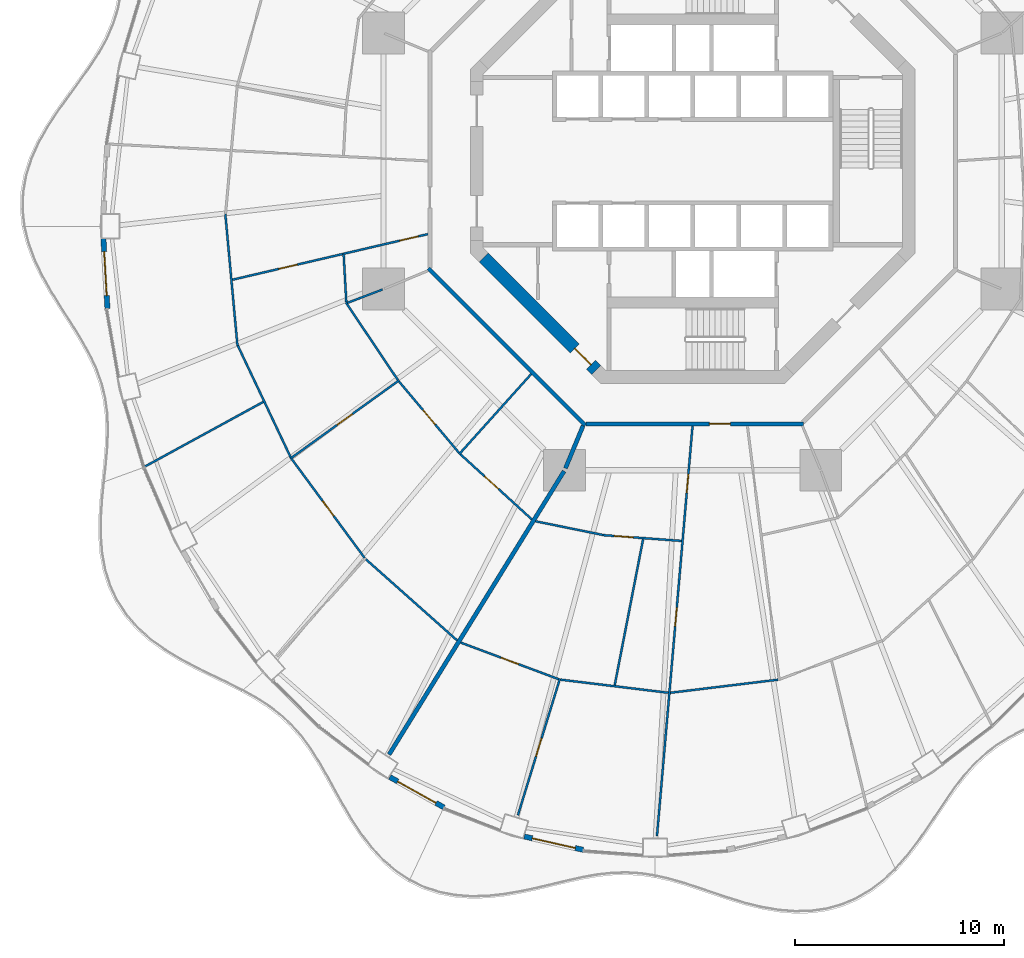
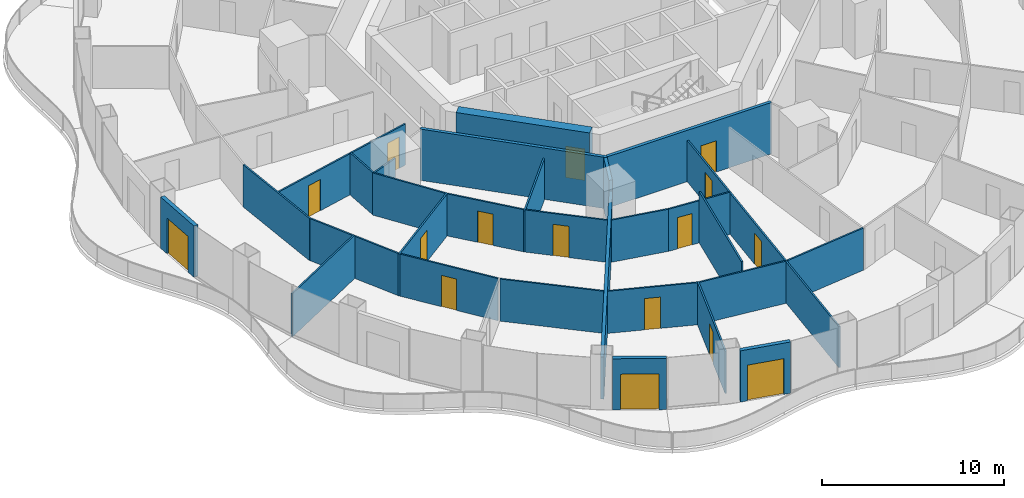
# One storey, part 11 of 19: 29 walls, 16 doors, 16 openings.
"""IFC4 building model written with IfcOpenShell, lengths in metres."""

from ifc_helpers import new_model, si_unit, direction, frame, frame_2d, origin, place, context, subcontext, project, spatial, rectangle, extrude, material, layer, layer_set, type_object, element, fill, save


model = new_model("IFC4")

# Units and contexts
model_context = context("Model", 3, precision=1e-05, world=origin(), true_north=direction((0.0, 1.0)))
body_context = subcontext(model_context, "Body", "Model", "MODEL_VIEW")
ifc_project = project(units=[si_unit("LENGTHUNIT", "METRE"), si_unit("AREAUNIT", "SQUARE_METRE"), si_unit("VOLUMEUNIT", "CUBIC_METRE"), si_unit("PLANEANGLEUNIT", "RADIAN"), si_unit("MASSUNIT", "GRAM", prefix="KILO")], contexts=[model_context])

# Site, building, storey
site_placement = place(None, origin())
site = spatial("IfcSite", under=ifc_project, at=site_placement, CompositionType="ELEMENT")
building_placement = place(site_placement, origin())
building = spatial("IfcBuilding", under=site, at=building_placement, Name="Nagisa Residences", CompositionType="ELEMENT")
storey_placement = place(building_placement, frame((0.0, 0.0, 149.199951171875)))
storey = spatial("IfcBuildingStorey", under=building, at=storey_placement, Name="L37", CompositionType="ELEMENT", Elevation=149.199951171875)

# Walls
ifc_material_1 = material(Name="Gypsum board on steel studs", Category="steel")
ifc_layer_1 = layer(ifc_material_1, 0.199951171875)
ifc_layer_set_1 = layer_set([ifc_layer_1], Name="Apartment compartment wall EI60 200")
wall_type_1 = type_object("IfcWallType", Name="Apartment compartment wall EI60 200", PredefinedType="PARTITIONING", material=ifc_layer_set_1)
wall_1_placement = place(storey_placement, frame((-5.24267578125, -12.6572265625, 0.0), z_axis=(0.0, 0.0, 1.0), x_axis=(-0.382818775282, -0.923823460025, 0.0)))
element("IfcWall", 1, at=wall_1_placement, inside=storey, type_object=wall_type_1, Name="wall:L37:u02", PredefinedType="PARTITIONING", context=body_context, shape_type="SweptSolid", body=[
    extrude(rectangle(XDim=2.200927734375, YDim=0.199951171875, at=frame_2d((1.1005859375, 0.0))), origin(), (0.0, 0.0, 1.0), 3.43994140625),
])
wall_2_placement = place(storey_placement, frame((-6.149169921875, -14.82470703125, 0.0), z_axis=(0.0, 0.0, 1.0), x_axis=(-0.525406383516, -0.85085141603, 0.0)))
element("IfcWall", 2, at=wall_2_placement, inside=storey, type_object=wall_type_1, Name="wall:L37:u03", PredefinedType="PARTITIONING", context=body_context, shape_type="SweptSolid", body=[
    extrude(rectangle(XDim=15.9248046875, YDim=0.199951171875, at=frame_2d((7.96240234375, 0.0))), origin(), (0.0, 0.0, 1.0), 2.828125),
])
ifc_material_2 = material(Name="Gypsum board on steel studs", Category="steel")
ifc_layer_2 = layer(ifc_material_2, 0.199951171875)
ifc_layer_set_2 = layer_set([ifc_layer_2], Name="Apartment entry wall EI60 200")
wall_type_2 = type_object("IfcWallType", Name="Apartment entry wall EI60 200", PredefinedType="PARTITIONING", material=ifc_layer_set_2)
wall_3_placement = place(storey_placement, frame((-12.635498046875, -5.1337890625, 0.0), z_axis=(0.0, 0.0, 1.0), x_axis=(0.707106781187, -0.707106781187, 0.0)))
element("IfcWall", 3, at=wall_3_placement, inside=storey, type_object=wall_type_2, Name="wall:L37:u09", PredefinedType="PARTITIONING", context=body_context, shape_type="SweptSolid", body=[
    extrude(rectangle(XDim=10.609130859375, YDim=0.199951171875, at=frame_2d((5.3046875, 0.0))), origin(), (0.0, 0.0, 1.0), 3.43994140625),
])

# Wall, opening, door
wall_4_placement = place(storey_placement, frame((-5.1044921875, -12.564697265625, 0.0), z_axis=(0.0, 0.0, 1.0), x_axis=(1.0, 0.0, 0.0)))
wall_4 = element("IfcWall", 4, at=wall_4_placement, inside=storey, type_object=wall_type_2, Name="wall:L37:u10", PredefinedType="PARTITIONING", context=body_context, shape_type="SweptSolid", body=[
    extrude(rectangle(XDim=10.408935546875, YDim=0.199951171875, at=frame_2d((5.20458984375, 0.0))), origin(), (0.0, 0.0, 1.0), 3.43994140625),
])
opening_1_placement = place(wall_4_placement, frame((5.905517578125, 0.0, 0.0)))
opening_1 = element("IfcOpeningElement", 5, at=opening_1_placement, cuts=wall_4, Name="Opening L37-U01", PredefinedType="OPENING", context=body_context, shape_type="SweptSolid", body=[
    extrude(rectangle(XDim=1.0, YDim=2.10009765625, at=frame_2d((0.5, 1.050048828125))), frame((0.0, 0.10986328125, 0.0), z_axis=(0.0, -1.0, 0.0), x_axis=(1.0, 0.0, 0.0)), (0.0, 0.0, 1.0), 0.219970703125),
])
ifc_material_3 = material(Name="Timber fire door set", Category="wood")
door_type_1 = type_object("IfcDoorType", Name="Apartment entry door FD30S 1000x2100", OperationType="NOTDEFINED", PredefinedType="DOOR", material=ifc_material_3)
door_1_placement = place(opening_1_placement, frame((1.0, 0.0, 0.0), x_axis=(-1.0, 0.0, 0.0)))
door_1 = element("IfcDoor", 6, at=door_1_placement, inside=storey, type_object=door_type_1, Name="Entry door, Apartment 37A", OperationType="SINGLE_SWING_RIGHT", OverallHeight=2.10009765625, OverallWidth=1.0, PredefinedType="DOOR", context=body_context, shape_type="SweptSolid", body=[
    extrude(rectangle(XDim=1.0, YDim=2.10009765625, at=frame_2d((0.5, 1.050048828125))), frame((0.0, 0.02490234375, 0.0), z_axis=(0.0, -1.0, 0.0), x_axis=(1.0, 0.0, 0.0)), (0.0, 0.0, 1.0), 0.050048828125),
])
fill(opening_1, door_1)

# Wall
ifc_material_4 = material(Name="Gypsum board on steel studs", Category="steel")
ifc_layer_3 = layer(ifc_material_4, 0.10009765625)
ifc_layer_set_3 = layer_set([ifc_layer_3], Name="Apartment partition 100")
wall_type_3 = type_object("IfcWallType", Name="Apartment partition 100", PredefinedType="PARTITIONING", material=ifc_layer_set_3)
wall_5_placement = place(storey_placement, frame((-22.346923828125, -2.54248046875, 0.0), z_axis=(0.0, 0.0, 1.0), x_axis=(0.091783634244, -0.995778973711, 0.0)))
element("IfcWall", 7, at=wall_5_placement, inside=storey, type_object=wall_type_3, Name="wall:L37:u56", PredefinedType="PARTITIONING", context=body_context, shape_type="SweptSolid", body=[
    extrude(rectangle(XDim=6.314697265625, YDim=0.10009765625, at=frame_2d((3.1572265625, 0.0))), origin(), (0.0, 0.0, 1.0), 2.828125),
])

# Wall, openings, doors
wall_6_placement = place(storey_placement, frame((-12.662109375, -3.492431640625, 0.0), z_axis=(0.0, 0.0, 1.0), x_axis=(-0.973798787998, -0.227411346448, 0.0)))
wall_6 = element("IfcWall", 8, at=wall_6_placement, inside=storey, type_object=wall_type_3, Name="wall:L37:u57", PredefinedType="PARTITIONING", context=body_context, shape_type="SweptSolid", body=[
    extrude(rectangle(XDim=9.59765625, YDim=0.10009765625, at=frame_2d((4.798828125, 0.0))), origin(), (0.0, 0.0, 1.0), 2.756103515625),
])
opening_2_placement = place(wall_6_placement, frame((0.47705078125, 0.0, 0.0)))
opening_2 = element("IfcOpeningElement", 9, at=opening_2_placement, cuts=wall_6, Name="Opening L37-U27", PredefinedType="OPENING", context=body_context, shape_type="SweptSolid", body=[
    extrude(rectangle(XDim=0.89990234375, YDim=2.10009765625, at=frame_2d((0.449951171875, 1.050048828125))), frame((0.0, 0.06005859375, 0.0), z_axis=(0.0, -1.0, 0.0), x_axis=(1.0, 0.0, 0.0)), (0.0, 0.0, 1.0), 0.1201171875),
])
opening_3_placement = place(wall_6_placement, frame((6.419921875, 0.0, 0.0)))
opening_3 = element("IfcOpeningElement", 10, at=opening_3_placement, cuts=wall_6, Name="Opening L37-U30", PredefinedType="OPENING", context=body_context, shape_type="SweptSolid", body=[
    extrude(rectangle(XDim=0.89990234375, YDim=2.10009765625, at=frame_2d((0.449951171875, 1.050048828125))), frame((0.0, 0.06005859375, 0.0), z_axis=(0.0, -1.0, 0.0), x_axis=(1.0, 0.0, 0.0)), (0.0, 0.0, 1.0), 0.1201171875),
])
ifc_material_5 = material(Name="Timber door set", Category="wood")
door_type_2 = type_object("IfcDoorType", Name="Apartment door 900x2100", OperationType="NOTDEFINED", PredefinedType="DOOR", material=ifc_material_5)
door_2_placement = place(opening_2_placement, origin())
door_2 = element("IfcDoor", 11, at=door_2_placement, inside=storey, type_object=door_type_2, Name="Door to family bathroom, Apartment 37B", OperationType="SINGLE_SWING_LEFT", OverallHeight=2.10009765625, OverallWidth=0.89990234375, PredefinedType="DOOR", context=body_context, shape_type="SweptSolid", body=[
    extrude(rectangle(XDim=0.89990234375, YDim=2.10009765625, at=frame_2d((0.449951171875, 1.050048828125))), frame((0.0, 0.02490234375, 0.0), z_axis=(0.0, -1.0, 0.0), x_axis=(1.0, 0.0, 0.0)), (0.0, 0.0, 1.0), 0.050048828125),
])
fill(opening_2, door_2)
door_3_placement = place(opening_3_placement, origin())
door_3 = element("IfcDoor", 12, at=door_3_placement, inside=storey, type_object=door_type_2, Name="Door to family room, Apartment 37B", OperationType="SINGLE_SWING_RIGHT", OverallHeight=2.10009765625, OverallWidth=0.89990234375, PredefinedType="DOOR", context=body_context, shape_type="SweptSolid", body=[
    extrude(rectangle(XDim=0.89990234375, YDim=2.10009765625, at=frame_2d((0.449951171875, 1.050048828125))), frame((0.0, 0.02490234375, 0.0), z_axis=(0.0, -1.0, 0.0), x_axis=(1.0, 0.0, 0.0)), (0.0, 0.0, 1.0), 0.050048828125),
])
fill(opening_3, door_3)

# Walls
wall_7_placement = place(storey_placement, frame((-16.691162109375, -4.45361328125, 0.0), z_axis=(0.0, 0.0, 1.0), x_axis=(0.05596405841, -0.998432784, 0.0)))
element("IfcWall", 13, at=wall_7_placement, inside=storey, type_object=wall_type_3, Name="wall:L37:u58", PredefinedType="PARTITIONING", context=body_context, shape_type="SweptSolid", body=[
    extrude(rectangle(XDim=2.299072265625, YDim=0.10009765625, at=frame_2d((1.1494140625, 0.0))), origin(), (0.0, 0.0, 1.0), 2.828125),
])
wall_8_placement = place(storey_placement, frame((-14.828857421875, -6.140625, 0.0), z_axis=(0.0, 0.0, 1.0), x_axis=(-0.934704367514, -0.355426146128, 0.0)))
element("IfcWall", 14, at=wall_8_placement, inside=storey, type_object=wall_type_3, Name="wall:L37:u60", PredefinedType="PARTITIONING", context=body_context, shape_type="SweptSolid", body=[
    extrude(rectangle(XDim=1.8017578125, YDim=0.10009765625, at=frame_2d((0.90087890625, 0.0))), origin(), (0.0, 0.0, 1.0), 2.828125),
])
wall_9_placement = place(storey_placement, frame((-16.58740234375, -6.75732421875, 0.0), z_axis=(0.0, 0.0, 1.0), x_axis=(0.55699383956, -0.830516623971, 0.0)))
element("IfcWall", 15, at=wall_9_placement, inside=storey, type_object=wall_type_3, Name="wall:L37:u61", PredefinedType="PARTITIONING", context=body_context, shape_type="SweptSolid", body=[
    extrude(rectangle(XDim=4.466552734375, YDim=0.10009765625, at=frame_2d((2.2333984375, 0.0))), origin(), (0.0, 0.0, 1.0), 2.828125),
])
wall_10_placement = place(storey_placement, frame((-21.75048828125, -8.826171875, 0.0), z_axis=(0.0, 0.0, 1.0), x_axis=(0.427739388908, -0.903902104863, 0.0)))
element("IfcWall", 16, at=wall_10_placement, inside=storey, type_object=wall_type_3, Name="wall:L37:u62", PredefinedType="PARTITIONING", context=body_context, shape_type="SweptSolid", body=[
    extrude(rectangle(XDim=5.89892578125, YDim=0.10009765625, at=frame_2d((2.949462890625, 0.0))), origin(), (0.0, 0.0, 1.0), 2.828125),
])
wall_11_placement = place(storey_placement, frame((-20.53271484375, -11.51611328125, 0.0), z_axis=(0.0, 0.0, 1.0), x_axis=(-0.877731656478, -0.479152521872, 0.0)))
element("IfcWall", 17, at=wall_11_placement, inside=storey, type_object=wall_type_3, Name="wall:L37:u63", PredefinedType="PARTITIONING", context=body_context, shape_type="SweptSolid", body=[
    extrude(rectangle(XDim=6.5478515625, YDim=0.10009765625, at=frame_2d((3.27392578125, 0.0))), origin(), (0.0, 0.0, 1.0), 2.905029296875),
])

# Wall, opening, door
wall_12_placement = place(storey_placement, frame((-14.03125, -10.479248046875, 0.0), z_axis=(0.0, 0.0, 1.0), x_axis=(-0.811653955345, -0.584138559567, 0.0)))
wall_12 = element("IfcWall", 18, at=wall_12_placement, inside=storey, type_object=wall_type_3, Name="wall:L37:u64", PredefinedType="PARTITIONING", context=body_context, shape_type="SweptSolid", body=[
    extrude(rectangle(XDim=6.425537109375, YDim=0.10009765625, at=frame_2d((3.212890625, 0.0))), origin(), (0.0, 0.0, 1.0), 2.828125),
])
opening_4_placement = place(wall_12_placement, frame((2.7626953125, 0.0, 0.0)))
opening_4 = element("IfcOpeningElement", 19, at=opening_4_placement, cuts=wall_12, Name="Opening L37-U31", PredefinedType="OPENING", context=body_context, shape_type="SweptSolid", body=[
    extrude(rectangle(XDim=0.89990234375, YDim=2.10009765625, at=frame_2d((0.449951171875, 1.050048828125))), frame((0.0, 0.06005859375, 0.0), z_axis=(0.0, -1.0, 0.0), x_axis=(1.0, 0.0, 0.0)), (0.0, 0.0, 1.0), 0.1201171875),
])
door_4_placement = place(opening_4_placement, origin())
door_4 = element("IfcDoor", 20, at=door_4_placement, inside=storey, type_object=door_type_2, Name="Door to dining room, Apartment 37B", OperationType="SINGLE_SWING_LEFT", OverallHeight=2.10009765625, OverallWidth=0.89990234375, PredefinedType="DOOR", context=body_context, shape_type="SweptSolid", body=[
    extrude(rectangle(XDim=0.89990234375, YDim=2.10009765625, at=frame_2d((0.449951171875, 1.050048828125))), frame((0.0, 0.02490234375, 0.0), z_axis=(0.0, -1.0, 0.0), x_axis=(1.0, 0.0, 0.0)), (0.0, 0.0, 1.0), 0.050048828125),
])
fill(opening_4, door_4)

wall_13_placement = place(storey_placement, frame((-14.03955078125, -10.546630859375, 0.0), z_axis=(0.0, 0.0, 1.0), x_axis=(0.644036028289, -0.764995159635, 0.0)))
wall_13 = element("IfcWall", 21, at=wall_13_placement, inside=storey, type_object=wall_type_3, Name="wall:L37:u65", PredefinedType="PARTITIONING", context=body_context, shape_type="SweptSolid", body=[
    extrude(rectangle(XDim=4.448486328125, YDim=0.10009765625, at=frame_2d((2.22412109375, 0.0))), origin(), (0.0, 0.0, 1.0), 2.828125),
])
opening_5_placement = place(wall_13_placement, frame((1.7744140625, 0.0, 0.0)))
opening_5 = element("IfcOpeningElement", 22, at=opening_5_placement, cuts=wall_13, Name="Opening L37-U38", PredefinedType="OPENING", context=body_context, shape_type="SweptSolid", body=[
    extrude(rectangle(XDim=0.89990234375, YDim=2.10009765625, at=frame_2d((0.449951171875, 1.050048828125))), frame((0.0, 0.06005859375, 0.0), z_axis=(0.0, -1.0, 0.0), x_axis=(1.0, 0.0, 0.0)), (0.0, 0.0, 1.0), 0.1201171875),
])
door_5_placement = place(opening_5_placement, origin())
door_5 = element("IfcDoor", 23, at=door_5_placement, inside=storey, type_object=door_type_2, Name="Door to store, Apartment 37B", OperationType="SINGLE_SWING_RIGHT", OverallHeight=2.10009765625, OverallWidth=0.89990234375, PredefinedType="DOOR", context=body_context, shape_type="SweptSolid", body=[
    extrude(rectangle(XDim=0.89990234375, YDim=2.10009765625, at=frame_2d((0.449951171875, 1.050048828125))), frame((0.0, 0.02490234375, 0.0), z_axis=(0.0, -1.0, 0.0), x_axis=(1.0, 0.0, 0.0)), (0.0, 0.0, 1.0), 0.050048828125),
])
fill(opening_5, door_5)

wall_14_placement = place(storey_placement, frame((-19.17626953125, -14.24365234375, 0.0), z_axis=(0.0, 0.0, 1.0), x_axis=(0.593532053206, -0.80481035146, 0.0)))
wall_14 = element("IfcWall", 24, at=wall_14_placement, inside=storey, type_object=wall_type_3, Name="wall:L37:u66", PredefinedType="PARTITIONING", context=body_context, shape_type="SweptSolid", body=[
    extrude(rectangle(XDim=5.8759765625, YDim=0.10009765625, at=frame_2d((2.93798828125, 0.0))), origin(), (0.0, 0.0, 1.0), 2.828125),
])
opening_6_placement = place(wall_14_placement, frame((2.48779296875, 0.0, 0.0)))
opening_6 = element("IfcOpeningElement", 25, at=opening_6_placement, cuts=wall_14, Name="Opening L37-U35", PredefinedType="OPENING", context=body_context, shape_type="SweptSolid", body=[
    extrude(rectangle(XDim=0.89990234375, YDim=2.10009765625, at=frame_2d((0.449951171875, 1.050048828125))), frame((0.0, 0.06005859375, 0.0), z_axis=(0.0, -1.0, 0.0), x_axis=(1.0, 0.0, 0.0)), (0.0, 0.0, 1.0), 0.1201171875),
])
door_6_placement = place(opening_6_placement, frame((0.89990234375, 0.0, 0.0), x_axis=(-1.0, 0.0, 0.0)))
door_6 = element("IfcDoor", 26, at=door_6_placement, inside=storey, type_object=door_type_2, Name="Door to living room, Apartment 37B", OperationType="SINGLE_SWING_RIGHT", OverallHeight=2.10009765625, OverallWidth=0.89990234375, PredefinedType="DOOR", context=body_context, shape_type="SweptSolid", body=[
    extrude(rectangle(XDim=0.89990234375, YDim=2.10009765625, at=frame_2d((0.449951171875, 1.050048828125))), frame((0.0, 0.02490234375, 0.0), z_axis=(0.0, -1.0, 0.0), x_axis=(1.0, 0.0, 0.0)), (0.0, 0.0, 1.0), 0.050048828125),
])
fill(opening_6, door_6)

# Wall
wall_15_placement = place(storey_placement, frame((-7.724853515625, -10.185791015625, 0.0), z_axis=(0.0, 0.0, 1.0), x_axis=(-0.668483825034, -0.743726680756, 0.0)))
element("IfcWall", 27, at=wall_15_placement, inside=storey, type_object=wall_type_3, Name="wall:L37:u67", PredefinedType="PARTITIONING", context=body_context, shape_type="SweptSolid", body=[
    extrude(rectangle(XDim=5.162353515625, YDim=0.10009765625, at=frame_2d((2.5810546875, 0.0))), origin(), (0.0, 0.0, 1.0), 2.756103515625),
])

# Wall, opening, door
wall_16_placement = place(storey_placement, frame((-11.10546875, -14.021484375, 0.0), z_axis=(0.0, 0.0, 1.0), x_axis=(0.738880014758, -0.673837015747, 0.0)))
wall_16 = element("IfcWall", 28, at=wall_16_placement, inside=storey, type_object=wall_type_3, Name="wall:L37:u68", PredefinedType="PARTITIONING", context=body_context, shape_type="SweptSolid", body=[
    extrude(rectangle(XDim=4.62060546875, YDim=0.10009765625, at=frame_2d((2.310302734375, 0.0))), origin(), (0.0, 0.0, 1.0), 2.828125),
])
opening_7_placement = place(wall_16_placement, frame((1.55810546875, 0.0, 0.0)))
opening_7 = element("IfcOpeningElement", 29, at=opening_7_placement, cuts=wall_16, Name="Opening L37-U39", PredefinedType="OPENING", context=body_context, shape_type="SweptSolid", body=[
    extrude(rectangle(XDim=0.89990234375, YDim=2.10009765625, at=frame_2d((0.449951171875, 1.050048828125))), frame((0.0, 0.06005859375, 0.0), z_axis=(0.0, -1.0, 0.0), x_axis=(1.0, 0.0, 0.0)), (0.0, 0.0, 1.0), 0.1201171875),
])
door_7_placement = place(opening_7_placement, origin())
door_7 = element("IfcDoor", 30, at=door_7_placement, inside=storey, type_object=door_type_2, Name="Door to laundry, Apartment 37B", OperationType="SINGLE_SWING_LEFT", OverallHeight=2.10009765625, OverallWidth=0.89990234375, PredefinedType="DOOR", context=body_context, shape_type="SweptSolid", body=[
    extrude(rectangle(XDim=0.89990234375, YDim=2.10009765625, at=frame_2d((0.449951171875, 1.050048828125))), frame((0.0, 0.02490234375, 0.0), z_axis=(0.0, -1.0, 0.0), x_axis=(1.0, 0.0, 0.0)), (0.0, 0.0, 1.0), 0.050048828125),
])
fill(opening_7, door_7)

# Walls
wall_17_placement = place(storey_placement, frame((-15.621826171875, -19.046142578125, 0.0), z_axis=(0.0, 0.0, 1.0), x_axis=(0.747342322463, -0.664439201925, 0.0)))
element("IfcWall", 31, at=wall_17_placement, inside=storey, type_object=wall_type_3, Name="wall:L37:u70", PredefinedType="PARTITIONING", context=body_context, shape_type="SweptSolid", body=[
    extrude(rectangle(XDim=5.830810546875, YDim=0.10009765625, at=frame_2d((2.91552734375, 0.0))), origin(), (0.0, 0.0, 1.0), 2.828125),
])
wall_18_placement = place(storey_placement, frame((-7.51953125, -17.222412109375, 0.0), z_axis=(0.0, 0.0, 1.0), x_axis=(0.979972193175, -0.199134378255, 0.0)))
element("IfcWall", 32, at=wall_18_placement, inside=storey, type_object=wall_type_3, Name="wall:L37:u71", PredefinedType="PARTITIONING", context=body_context, shape_type="SweptSolid", body=[
    extrude(rectangle(XDim=3.296630859375, YDim=0.10009765625, at=frame_2d((1.6484375, 0.0))), origin(), (0.0, 0.0, 1.0), 2.828125),
])

# Wall, opening, door
wall_19_placement = place(storey_placement, frame((-11.095703125, -23.02197265625, 0.0), z_axis=(0.0, 0.0, 1.0), x_axis=(0.936725688471, -0.350064257758, 0.0)))
wall_19 = element("IfcWall", 33, at=wall_19_placement, inside=storey, type_object=wall_type_3, Name="wall:L37:u72", PredefinedType="PARTITIONING", context=body_context, shape_type="SweptSolid", body=[
    extrude(rectangle(XDim=5.002685546875, YDim=0.10009765625, at=frame_2d((2.50146484375, 0.0))), origin(), (0.0, 0.0, 1.0), 2.828125),
])
opening_8_placement = place(wall_19_placement, frame((2.05126953125, 0.0, 0.0)))
opening_8 = element("IfcOpeningElement", 34, at=opening_8_placement, cuts=wall_19, Name="Opening L37-U11", PredefinedType="OPENING", context=body_context, shape_type="SweptSolid", body=[
    extrude(rectangle(XDim=0.89990234375, YDim=2.10009765625, at=frame_2d((0.449951171875, 1.050048828125))), frame((0.0, 0.06005859375, 0.0), z_axis=(0.0, -1.0, 0.0), x_axis=(1.0, 0.0, 0.0)), (0.0, 0.0, 1.0), 0.1201171875),
])
door_8_placement = place(opening_8_placement, frame((0.89990234375, 0.0, 0.0), x_axis=(-1.0, 0.0, 0.0)))
door_8 = element("IfcDoor", 35, at=door_8_placement, inside=storey, type_object=door_type_2, Name="Door to family room, Apartment 37A", OperationType="SINGLE_SWING_RIGHT", OverallHeight=2.10009765625, OverallWidth=0.89990234375, PredefinedType="DOOR", context=body_context, shape_type="SweptSolid", body=[
    extrude(rectangle(XDim=0.89990234375, YDim=2.10009765625, at=frame_2d((0.449951171875, 1.050048828125))), frame((0.0, 0.02490234375, 0.0), z_axis=(0.0, -1.0, 0.0), x_axis=(1.0, 0.0, 0.0)), (0.0, 0.0, 1.0), 0.050048828125),
])
fill(opening_8, door_8)

wall_20_placement = place(storey_placement, frame((-4.289794921875, -17.88525390625, 0.0), z_axis=(0.0, 0.0, 1.0), x_axis=(0.997272353708, -0.073809569363, 0.0)))
wall_20 = element("IfcWall", 36, at=wall_20_placement, inside=storey, type_object=wall_type_3, Name="wall:L37:u73", PredefinedType="PARTITIONING", context=body_context, shape_type="SweptSolid", body=[
    extrude(rectangle(XDim=3.76416015625, YDim=0.10009765625, at=frame_2d((1.882080078125, 0.0))), origin(), (0.0, 0.0, 1.0), 2.828125),
])
opening_9_placement = place(wall_20_placement, frame((0.541015625, 0.0, 0.0)))
opening_9 = element("IfcOpeningElement", 37, at=opening_9_placement, cuts=wall_20, Name="Opening L37-U04", PredefinedType="OPENING", context=body_context, shape_type="SweptSolid", body=[
    extrude(rectangle(XDim=0.89990234375, YDim=2.10009765625, at=frame_2d((0.449951171875, 1.050048828125))), frame((0.0, 0.06005859375, 0.0), z_axis=(0.0, -1.0, 0.0), x_axis=(1.0, 0.0, 0.0)), (0.0, 0.0, 1.0), 0.1201171875),
])
door_9_placement = place(opening_9_placement, frame((0.89990234375, 0.0, 0.0), x_axis=(-1.0, 0.0, 0.0)))
door_9 = element("IfcDoor", 38, at=door_9_placement, inside=storey, type_object=door_type_2, Name="Door to kitchen, Apartment 37A", OperationType="SINGLE_SWING_LEFT", OverallHeight=2.10009765625, OverallWidth=0.89990234375, PredefinedType="DOOR", context=body_context, shape_type="SweptSolid", body=[
    extrude(rectangle(XDim=0.89990234375, YDim=2.10009765625, at=frame_2d((0.449951171875, 1.050048828125))), frame((0.0, 0.02490234375, 0.0), z_axis=(0.0, -1.0, 0.0), x_axis=(1.0, 0.0, 0.0)), (0.0, 0.0, 1.0), 0.050048828125),
])
fill(opening_9, door_9)

wall_21_placement = place(storey_placement, frame((-6.34814453125, -24.74267578125, 0.0), z_axis=(0.0, 0.0, 1.0), x_axis=(-0.293988034243, -0.955809100041, 0.0)))
wall_21 = element("IfcWall", 39, at=wall_21_placement, inside=storey, type_object=wall_type_3, Name="wall:L37:u74", PredefinedType="PARTITIONING", context=body_context, shape_type="SweptSolid", body=[
    extrude(rectangle(XDim=6.84033203125, YDim=0.10009765625, at=frame_2d((3.420166015625, 0.0))), origin(), (0.0, 0.0, 1.0), 2.828125),
])
opening_10_placement = place(wall_21_placement, frame((2.9951171875, 0.0, 0.0)))
opening_10 = element("IfcOpeningElement", 40, at=opening_10_placement, cuts=wall_21, Name="Opening L37-U12", PredefinedType="OPENING", context=body_context, shape_type="SweptSolid", body=[
    extrude(rectangle(XDim=0.89990234375, YDim=2.10009765625, at=frame_2d((0.449951171875, 1.050048828125))), frame((0.0, 0.06005859375, 0.0), z_axis=(0.0, -1.0, 0.0), x_axis=(1.0, 0.0, 0.0)), (0.0, 0.0, 1.0), 0.1201171875),
])
door_10_placement = place(opening_10_placement, origin())
door_10 = element("IfcDoor", 41, at=door_10_placement, inside=storey, type_object=door_type_2, Name="Door to master bedroom, Apartment 37A", OperationType="SINGLE_SWING_RIGHT", OverallHeight=2.10009765625, OverallWidth=0.89990234375, PredefinedType="DOOR", context=body_context, shape_type="SweptSolid", body=[
    extrude(rectangle(XDim=0.89990234375, YDim=2.10009765625, at=frame_2d((0.449951171875, 1.050048828125))), frame((0.0, 0.02490234375, 0.0), z_axis=(0.0, -1.0, 0.0), x_axis=(1.0, 0.0, 0.0)), (0.0, 0.0, 1.0), 0.050048828125),
])
fill(opening_10, door_10)

# Walls
wall_22_placement = place(storey_placement, frame((-6.313232421875, -24.796630859375, 0.0), z_axis=(0.0, 0.0, 1.0), x_axis=(0.992692993044, -0.120667400577, 0.0)))
element("IfcWall", 42, at=wall_22_placement, inside=storey, type_object=wall_type_3, Name="wall:L37:u75", PredefinedType="PARTITIONING", context=body_context, shape_type="SweptSolid", body=[
    extrude(rectangle(XDim=5.185546875, YDim=0.10009765625, at=frame_2d((2.5927734375, 0.0))), origin(), (0.0, 0.0, 1.0), 2.828125),
])
wall_23_placement = place(storey_placement, frame((-2.37255859375, -18.076904296875, 0.0), z_axis=(0.0, 0.0, 1.0), x_axis=(-0.190800770119, -0.98162878224, 0.0)))
element("IfcWall", 43, at=wall_23_placement, inside=storey, type_object=wall_type_3, Name="wall:L37:u76", PredefinedType="PARTITIONING", context=body_context, shape_type="SweptSolid", body=[
    extrude(rectangle(XDim=7.1142578125, YDim=0.10009765625, at=frame_2d((3.55712890625, 0.0))), origin(), (0.0, 0.0, 1.0), 3.43994140625),
])

# Wall, openings, doors
wall_24_placement = place(storey_placement, frame((-0.008544921875, -12.664306640625, 0.0), z_axis=(0.0, 0.0, 1.0), x_axis=(-0.086431005932, -0.996257838721, 0.0)))
wall_24 = element("IfcWall", 44, at=wall_24_placement, inside=storey, type_object=wall_type_3, Name="wall:L37:u77", PredefinedType="PARTITIONING", context=body_context, shape_type="SweptSolid", body=[
    extrude(rectangle(XDim=19.6796875, YDim=0.10009765625, at=frame_2d((9.83984375, 0.0))), origin(), (0.0, 0.0, 1.0), 2.756103515625),
])
opening_11_placement = place(wall_24_placement, frame((2.3115234375, 0.0, 0.0)))
opening_11 = element("IfcOpeningElement", 45, at=opening_11_placement, cuts=wall_24, Name="Opening L37-U02", PredefinedType="OPENING", context=body_context, shape_type="SweptSolid", body=[
    extrude(rectangle(XDim=0.89990234375, YDim=2.10009765625, at=frame_2d((0.449951171875, 1.050048828125))), frame((0.0, 0.06005859375, 0.0), z_axis=(0.0, -1.0, 0.0), x_axis=(1.0, 0.0, 0.0)), (0.0, 0.0, 1.0), 0.1201171875),
])
opening_12_placement = place(wall_24_placement, frame((8.717529296875, 0.0, 0.0)))
opening_12 = element("IfcOpeningElement", 46, at=opening_12_placement, cuts=wall_24, Name="Opening L37-U05", PredefinedType="OPENING", context=body_context, shape_type="SweptSolid", body=[
    extrude(rectangle(XDim=0.89990234375, YDim=2.10009765625, at=frame_2d((0.449951171875, 1.050048828125))), frame((0.0, 0.06005859375, 0.0), z_axis=(0.0, -1.0, 0.0), x_axis=(1.0, 0.0, 0.0)), (0.0, 0.0, 1.0), 0.1201171875),
])
door_11_placement = place(opening_11_placement, frame((0.89990234375, 0.0, 0.0), x_axis=(-1.0, 0.0, 0.0)))
door_11 = element("IfcDoor", 47, at=door_11_placement, inside=storey, type_object=door_type_2, Name="Door to store, Apartment 37A", OperationType="SINGLE_SWING_LEFT", OverallHeight=2.10009765625, OverallWidth=0.89990234375, PredefinedType="DOOR", context=body_context, shape_type="SweptSolid", body=[
    extrude(rectangle(XDim=0.89990234375, YDim=2.10009765625, at=frame_2d((0.449951171875, 1.050048828125))), frame((0.0, 0.02490234375, 0.0), z_axis=(0.0, -1.0, 0.0), x_axis=(1.0, 0.0, 0.0)), (0.0, 0.0, 1.0), 0.050048828125),
])
fill(opening_11, door_11)
door_12_placement = place(opening_12_placement, frame((0.89990234375, 0.0, 0.0), x_axis=(-1.0, 0.0, 0.0)))
door_12 = element("IfcDoor", 48, at=door_12_placement, inside=storey, type_object=door_type_2, Name="Door to family bathroom, Apartment 37A", OperationType="SINGLE_SWING_RIGHT", OverallHeight=2.10009765625, OverallWidth=0.89990234375, PredefinedType="DOOR", context=body_context, shape_type="SweptSolid", body=[
    extrude(rectangle(XDim=0.89990234375, YDim=2.10009765625, at=frame_2d((0.449951171875, 1.050048828125))), frame((0.0, 0.02490234375, 0.0), z_axis=(0.0, -1.0, 0.0), x_axis=(1.0, 0.0, 0.0)), (0.0, 0.0, 1.0), 0.050048828125),
])
fill(opening_12, door_12)

# Wall
wall_25_placement = place(storey_placement, frame((-1.06640625, -25.42236328125, 0.0), z_axis=(0.0, 0.0, 1.0), x_axis=(0.992692993044, 0.120667400577, 0.0)))
element("IfcWall", 49, at=wall_25_placement, inside=storey, type_object=wall_type_3, Name="wall:L37:u78", PredefinedType="PARTITIONING", context=body_context, shape_type="SweptSolid", body=[
    extrude(rectangle(XDim=5.185546875, YDim=0.10009765625, at=frame_2d((2.5927734375, 0.0))), origin(), (0.0, 0.0, 1.0), 2.828125),
])

# Wall, opening, door
ifc_material_6 = material(Name="Precast concrete C40/50", Category="concrete")
ifc_layer_4 = layer(ifc_material_6, 0.25)
ifc_layer_set_4 = layer_set([ifc_layer_4], Name="BALCONY DOOR WALL 250")
wall_type_4 = type_object("IfcWallType", Name="BALCONY DOOR WALL 250", PredefinedType="SOLIDWALL", material=ifc_layer_set_4)
wall_26_placement = place(storey_placement, frame((-27.983154296875, -7.0517578125, 0.0), z_axis=(0.0, 0.0, 1.0), x_axis=(-0.057537829427, 0.998343326809, 0.0)))
wall_26 = element("IfcWall", 50, at=wall_26_placement, inside=storey, type_object=wall_type_4, Name="wall:L37:bay24", PredefinedType="SOLIDWALL", context=body_context, shape_type="SweptSolid", body=[
    extrude(rectangle(XDim=3.347900390625, YDim=0.25, at=frame_2d((1.673828125, 0.0))), origin(), (0.0, 0.0, 1.0), 3.43994140625),
])
opening_13_placement = place(wall_26_placement, frame((0.623779296875, 0.0, 0.0)))
opening_13 = element("IfcOpeningElement", 51, at=opening_13_placement, cuts=wall_26, Name="Opening BD-L37-09", PredefinedType="OPENING", context=body_context, shape_type="SweptSolid", body=[
    extrude(rectangle(XDim=2.10009765625, YDim=2.39990234375, at=frame_2d((1.050048828125, 1.199951171875))), frame((0.0, 0.135009765625, 0.0), z_axis=(0.0, -1.0, 0.0), x_axis=(1.0, 0.0, 0.0)), (0.0, 0.0, 1.0), 0.27001953125),
])
ifc_material_7 = material(Name="Aluminium and clear glass", Category="aluminium")
door_type_3 = type_object("IfcDoorType", Name="BALCONY SLIDING DOOR 2100x2400", OperationType="SLIDING_TO_LEFT", PredefinedType="DOOR", material=ifc_material_7)
door_13_placement = place(opening_13_placement, origin())
door_13 = element("IfcDoor", 52, at=door_13_placement, inside=storey, type_object=door_type_3, Name="door:L37:bay24", OperationType="SLIDING_TO_LEFT", OverallHeight=2.39990234375, OverallWidth=2.10009765625, PredefinedType="DOOR", context=body_context, shape_type="SweptSolid", body=[
    extrude(rectangle(XDim=2.10009765625, YDim=2.39990234375, at=frame_2d((1.050048828125, 1.199951171875))), frame((0.0, 0.02490234375, 0.0), z_axis=(0.0, -1.0, 0.0), x_axis=(1.0, 0.0, 0.0)), (0.0, 0.0, 1.0), 0.050048828125),
])
fill(opening_13, door_13)

wall_27_placement = place(storey_placement, frame((-11.893310546875, -30.9052734375, 0.0), z_axis=(0.0, 0.0, 1.0), x_axis=(-0.87206688547, 0.489386705241, 0.0)))
wall_27 = element("IfcWall", 53, at=wall_27_placement, inside=storey, type_object=wall_type_4, Name="wall:L37:bay32", PredefinedType="SOLIDWALL", context=body_context, shape_type="SweptSolid", body=[
    extrude(rectangle(XDim=2.9697265625, YDim=0.25, at=frame_2d((1.48486328125, 0.0))), origin(), (0.0, 0.0, 1.0), 3.43994140625),
])
opening_14_placement = place(wall_27_placement, frame((0.434814453125, 0.0, 0.0)))
opening_14 = element("IfcOpeningElement", 54, at=opening_14_placement, cuts=wall_27, Name="Opening BD-L37-11", PredefinedType="OPENING", context=body_context, shape_type="SweptSolid", body=[
    extrude(rectangle(XDim=2.10009765625, YDim=2.39990234375, at=frame_2d((1.050048828125, 1.199951171875))), frame((0.0, 0.135009765625, 0.0), z_axis=(0.0, -1.0, 0.0), x_axis=(1.0, 0.0, 0.0)), (0.0, 0.0, 1.0), 0.27001953125),
])
door_14_placement = place(opening_14_placement, origin())
door_14 = element("IfcDoor", 55, at=door_14_placement, inside=storey, type_object=door_type_3, Name="door:L37:bay32", OperationType="SLIDING_TO_LEFT", OverallHeight=2.39990234375, OverallWidth=2.10009765625, PredefinedType="DOOR", context=body_context, shape_type="SweptSolid", body=[
    extrude(rectangle(XDim=2.10009765625, YDim=2.39990234375, at=frame_2d((1.050048828125, 1.199951171875))), frame((0.0, 0.02490234375, 0.0), z_axis=(0.0, -1.0, 0.0), x_axis=(1.0, 0.0, 0.0)), (0.0, 0.0, 1.0), 0.050048828125),
])
fill(opening_14, door_14)

wall_28_placement = place(storey_placement, frame((-5.23583984375, -32.932373046875, 0.0), z_axis=(0.0, 0.0, 1.0), x_axis=(-0.975339035722, 0.220711951186, 0.0)))
wall_28 = element("IfcWall", 56, at=wall_28_placement, inside=storey, type_object=wall_type_4, Name="wall:L37:bay34", PredefinedType="SOLIDWALL", context=body_context, shape_type="SweptSolid", body=[
    extrude(rectangle(XDim=2.890380859375, YDim=0.25, at=frame_2d((1.4453125, 0.0))), origin(), (0.0, 0.0, 1.0), 3.43994140625),
])
opening_15_placement = place(wall_28_placement, frame((0.395263671875, 0.0, 0.0)))
opening_15 = element("IfcOpeningElement", 57, at=opening_15_placement, cuts=wall_28, Name="Opening BD-L37-12", PredefinedType="OPENING", context=body_context, shape_type="SweptSolid", body=[
    extrude(rectangle(XDim=2.10009765625, YDim=2.39990234375, at=frame_2d((1.050048828125, 1.199951171875))), frame((0.0, 0.135009765625, 0.0), z_axis=(0.0, -1.0, 0.0), x_axis=(1.0, 0.0, 0.0)), (0.0, 0.0, 1.0), 0.27001953125),
])
door_15_placement = place(opening_15_placement, origin())
door_15 = element("IfcDoor", 58, at=door_15_placement, inside=storey, type_object=door_type_3, Name="door:L37:bay34", OperationType="SLIDING_TO_LEFT", OverallHeight=2.39990234375, OverallWidth=2.10009765625, PredefinedType="DOOR", context=body_context, shape_type="SweptSolid", body=[
    extrude(rectangle(XDim=2.10009765625, YDim=2.39990234375, at=frame_2d((1.050048828125, 1.199951171875))), frame((0.0, 0.02490234375, 0.0), z_axis=(0.0, -1.0, 0.0), x_axis=(1.0, 0.0, 0.0)), (0.0, 0.0, 1.0), 0.050048828125),
])
fill(opening_15, door_15)

ifc_material_8 = material(Name="Concrete C60", Category="concrete")
ifc_layer_5 = layer(ifc_material_8, 0.60009765625)
ifc_layer_set_5 = layer_set([ifc_layer_5], Name="Core shear wall 600")
wall_type_5 = type_object("IfcWallType", Name="Core shear wall 600", PredefinedType="SHEAR", material=ifc_layer_set_5)
wall_29_placement = place(storey_placement, frame((-9.98828125, -4.613037109375, 0.0), z_axis=(0.0, 0.0, 1.0), x_axis=(0.707106781187, -0.707106781187, 0.0)))
wall_29 = element("IfcWall", 59, at=wall_29_placement, inside=storey, type_object=wall_type_5, Name="wall:L37:core:flat5", PredefinedType="SHEAR", context=body_context, shape_type="SweptSolid", body=[
    extrude(rectangle(XDim=7.601806640625, YDim=0.60009765625, at=frame_2d((3.80078125, 0.0))), origin(), (0.0, 0.0, 1.0), 3.43994140625),
])
opening_16_placement = place(wall_29_placement, frame((6.15087890625, 0.0, 0.0)))
opening_16 = element("IfcOpeningElement", 60, at=opening_16_placement, cuts=wall_29, Name="Opening L37-C20", PredefinedType="OPENING", context=body_context, shape_type="SweptSolid", body=[
    extrude(rectangle(XDim=1.10009765625, YDim=2.10009765625, at=frame_2d((0.550048828125, 1.050048828125))), frame((0.0, 0.31005859375, 0.0), z_axis=(0.0, -1.0, 0.0), x_axis=(1.0, 0.0, 0.0)), (0.0, 0.0, 1.0), 0.6201171875),
])
ifc_material_9 = material(Name="Steel fire door", Category="steel")
door_type_4 = type_object("IfcDoorType", Name="Fire door EI60 1100x2100 single swing", OperationType="NOTDEFINED", PredefinedType="DOOR", material=ifc_material_9)
door_16_placement = place(opening_16_placement, origin())
door_16 = element("IfcDoor", 61, at=door_16_placement, inside=storey, type_object=door_type_4, Name="Housekeeping lobby door L37", OperationType="SINGLE_SWING_LEFT", OverallHeight=2.10009765625, OverallWidth=1.10009765625, PredefinedType="DOOR", context=body_context, shape_type="SweptSolid", body=[
    extrude(rectangle(XDim=1.10009765625, YDim=2.10009765625, at=frame_2d((0.550048828125, 1.050048828125))), frame((0.0, 0.02490234375, 0.0), z_axis=(0.0, -1.0, 0.0), x_axis=(1.0, 0.0, 0.0)), (0.0, 0.0, 1.0), 0.050048828125),
])
fill(opening_16, door_16)

save(model, "model.ifc")
